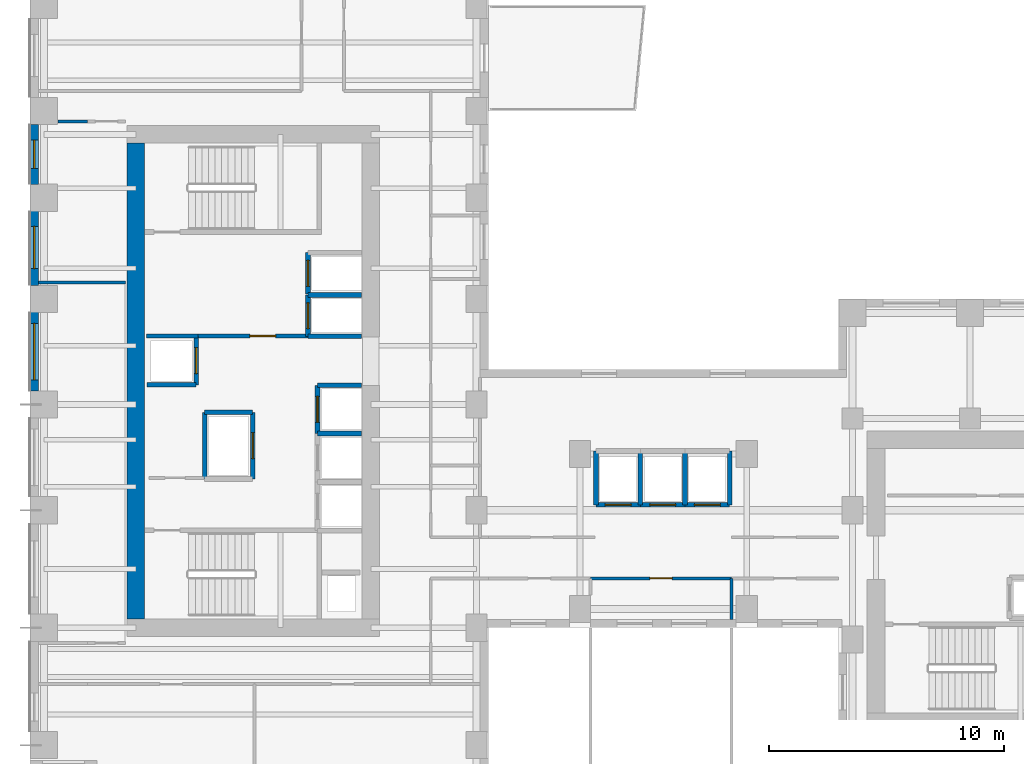
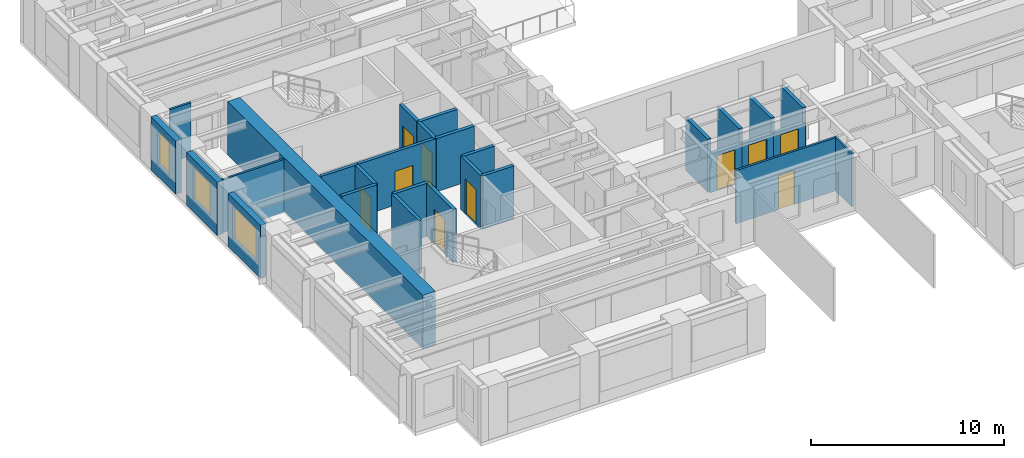
# One storey, part 5 of 11: 29 walls, 10 doors, 3 windows, 13 openings.
"""IFC4 building model written with IfcOpenShell, lengths in metres."""

from ifc_helpers import new_model, si_unit, direction, frame, frame_2d, origin, place, context, subcontext, project, spatial, rectangle, extrude, source, transform, mapped, material, layer, layer_set, type_object, element, fill, save


model = new_model("IFC4")

# Units and contexts
model_context = context("Model", 3, precision=1e-05, world=origin(), true_north=direction((0.0, 1.0)))
body_context = subcontext(model_context, "Body", "Model", "MODEL_VIEW")
ifc_project = project(units=[si_unit("LENGTHUNIT", "METRE"), si_unit("AREAUNIT", "SQUARE_METRE"), si_unit("VOLUMEUNIT", "CUBIC_METRE"), si_unit("PLANEANGLEUNIT", "RADIAN"), si_unit("MASSUNIT", "GRAM", prefix="KILO")], contexts=[model_context])

# Site, building, storey
site_placement = place(None, origin())
site = spatial("IfcSite", under=ifc_project, at=site_placement, CompositionType="ELEMENT")
building_placement = place(site_placement, origin())
building = spatial("IfcBuilding", under=site, at=building_placement, Name="Kharzan Plaza Tower", CompositionType="ELEMENT")
storey_placement = place(building_placement, frame((0.0, 0.0, 113.39990234375)))
storey = spatial("IfcBuildingStorey", under=building, at=storey_placement, Name="L30", CompositionType="ELEMENT", Elevation=113.39990234375)

# Wall, opening, window
ifc_material_1 = material(Name="Concrete C40/50", Category="concrete")
ifc_layer_1 = layer(ifc_material_1, 0.35009765625)
ifc_layer_set_1 = layer_set([ifc_layer_1], Name="Concrete C40/50")
wall_type_1 = type_object("IfcWallType", Name="WL-EXT-MAS-Z2", PredefinedType="SOLIDWALL", material=ifc_layer_set_1)
wall_1_placement = place(storey_placement, frame((0.175048828125, 29.927001953125, 0.0), z_axis=(0.0, 0.0, 1.0), x_axis=(0.0, -1.0, 0.0)))
wall_1 = element("IfcWall", 1, at=wall_1_placement, inside=storey, type_object=wall_type_1, Name="L30 Masonry-Frame Exterior Wall 20", PredefinedType="SOLIDWALL", context=body_context, shape_type="SweptSolid", body=[
    extrude(rectangle(XDim=2.553955078125, YDim=0.35009765625, at=frame_2d((1.27685546875, 0.0))), origin(), (0.0, 0.0, 1.0), 3.364990234375),
])
opening_1_placement = place(wall_1_placement, frame((0.677001953125, 0.0, 0.780029296875)))
opening_1 = element("IfcOpeningElement", 2, at=opening_1_placement, cuts=wall_1, Name="Opening W3", PredefinedType="OPENING", context=body_context, shape_type="SweptSolid", body=[
    extrude(rectangle(XDim=1.199951171875, YDim=2.10009765625, at=frame_2d((0.60009765625, 1.050048828125))), frame((0.0, 0.18505859375, 0.0), z_axis=(0.0, -1.0, 0.0), x_axis=(1.0, 0.0, 0.0)), (0.0, 0.0, 1.0), 0.3701171875),
])
ifc_material_2 = material(Name="Low-E Double Glazing", Category="glass")
window_type_1 = type_object("IfcWindowType", Name="WN-REC-1200x2100", PartitioningType="SINGLE_PANEL", PredefinedType="WINDOW", material=ifc_material_2)
shared_shape_1 = source(origin(), body_context, "Body", "SweptSolid", [
    extrude(rectangle(XDim=1.199951171875, YDim=2.10009765625, at=frame_2d((0.60009765625, 1.050048828125))), frame((0.0, 0.030029296875, 0.0), z_axis=(0.0, -1.0, 0.0), x_axis=(1.0, 0.0, 0.0)), (0.0, 0.0, 1.0), 0.06005859375),
])
window_1_placement = place(opening_1_placement, origin())
window_1 = element("IfcWindow", 3, at=window_1_placement, inside=storey, type_object=window_type_1, Name="L30 Recessed Solar-Control Window 20-1", OverallHeight=2.10009765625, OverallWidth=1.199951171875, PartitioningType="SINGLE_PANEL", PredefinedType="WINDOW", context=body_context, shape_type="MappedRepresentation", body=[
    mapped(shared_shape_1, transform((0.0, 0.0, 0.0), x_axis=(1.0, 0.0, 0.0), y_axis=(0.0, 1.0, 0.0), z_axis=(0.0, 0.0, 1.0))),
])
fill(opening_1, window_1)

wall_2_placement = place(storey_placement, frame((0.175048828125, 26.22705078125, 0.0), z_axis=(0.0, 0.0, 1.0), x_axis=(0.0, -1.0, 0.0)))
wall_2 = element("IfcWall", 4, at=wall_2_placement, inside=storey, type_object=wall_type_1, Name="L30 Masonry-Frame Exterior Wall 21", PredefinedType="SOLIDWALL", context=body_context, shape_type="SweptSolid", body=[
    extrude(rectangle(XDim=3.154052734375, YDim=0.35009765625, at=frame_2d((1.5771484375, 0.0))), origin(), (0.0, 0.0, 1.0), 3.364990234375),
])
opening_2_placement = place(wall_2_placement, frame((0.6484375, 0.0, 0.780029296875)))
opening_2 = element("IfcOpeningElement", 5, at=opening_2_placement, cuts=wall_2, Name="Opening W1", PredefinedType="OPENING", context=body_context, shape_type="SweptSolid", body=[
    extrude(rectangle(XDim=1.800048828125, YDim=2.10009765625, at=frame_2d((0.89990234375, 1.050048828125))), frame((0.0, 0.18505859375, 0.0), z_axis=(0.0, -1.0, 0.0), x_axis=(1.0, 0.0, 0.0)), (0.0, 0.0, 1.0), 0.3701171875),
])
window_type_2 = type_object("IfcWindowType", Name="WN-REC-1800x2100", PartitioningType="SINGLE_PANEL", PredefinedType="WINDOW", material=ifc_material_2)
shared_shape_2 = source(origin(), body_context, "Body", "SweptSolid", [
    extrude(rectangle(XDim=1.800048828125, YDim=2.10009765625, at=frame_2d((0.89990234375, 1.050048828125))), frame((0.0, 0.030029296875, 0.0), z_axis=(0.0, -1.0, 0.0), x_axis=(1.0, 0.0, 0.0)), (0.0, 0.0, 1.0), 0.06005859375),
])
window_2_placement = place(opening_2_placement, origin())
window_2 = element("IfcWindow", 6, at=window_2_placement, inside=storey, type_object=window_type_2, Name="L30 Recessed Solar-Control Window 21-1", OverallHeight=2.10009765625, OverallWidth=1.800048828125, PartitioningType="SINGLE_PANEL", PredefinedType="WINDOW", context=body_context, shape_type="MappedRepresentation", body=[
    mapped(shared_shape_2, transform((0.0, 0.0, 0.0), x_axis=(1.0, 0.0, 0.0), y_axis=(0.0, 1.0, 0.0), z_axis=(0.0, 0.0, 1.0))),
])
fill(opening_2, window_2)

wall_3_placement = place(storey_placement, frame((0.175048828125, 21.927001953125, 0.0), z_axis=(0.0, 0.0, 1.0), x_axis=(0.0, -1.0, 0.0)))
wall_3 = element("IfcWall", 7, at=wall_3_placement, inside=storey, type_object=wall_type_1, Name="L30 Masonry-Frame Exterior Wall 22", PredefinedType="SOLIDWALL", context=body_context, shape_type="SweptSolid", body=[
    extrude(rectangle(XDim=3.35400390625, YDim=0.35009765625, at=frame_2d((1.677001953125, 0.0))), origin(), (0.0, 0.0, 1.0), 3.364990234375),
])
opening_3_placement = place(wall_3_placement, frame((0.47705078125, 0.0, 0.780029296875)))
opening_3 = element("IfcOpeningElement", 8, at=opening_3_placement, cuts=wall_3, Name="Opening W2", PredefinedType="OPENING", context=body_context, shape_type="SweptSolid", body=[
    extrude(rectangle(XDim=2.39990234375, YDim=2.10009765625, at=frame_2d((1.199951171875, 1.050048828125))), frame((0.0, 0.18505859375, 0.0), z_axis=(0.0, -1.0, 0.0), x_axis=(1.0, 0.0, 0.0)), (0.0, 0.0, 1.0), 0.3701171875),
])
window_type_3 = type_object("IfcWindowType", Name="WN-REC-2400x2100", PartitioningType="SINGLE_PANEL", PredefinedType="WINDOW", material=ifc_material_2)
shared_shape_3 = source(origin(), body_context, "Body", "SweptSolid", [
    extrude(rectangle(XDim=2.39990234375, YDim=2.10009765625, at=frame_2d((1.199951171875, 1.050048828125))), frame((0.0, 0.030029296875, 0.0), z_axis=(0.0, -1.0, 0.0), x_axis=(1.0, 0.0, 0.0)), (0.0, 0.0, 1.0), 0.06005859375),
])
window_3_placement = place(opening_3_placement, origin())
window_3 = element("IfcWindow", 9, at=window_3_placement, inside=storey, type_object=window_type_3, Name="L30 Wide Recessed Solar-Control Window 22-1", OverallHeight=2.10009765625, OverallWidth=2.39990234375, PartitioningType="SINGLE_PANEL", PredefinedType="WINDOW", context=body_context, shape_type="MappedRepresentation", body=[
    mapped(shared_shape_3, transform((0.0, 0.0, 0.0), x_axis=(1.0, 0.0, 0.0), y_axis=(0.0, 1.0, 0.0), z_axis=(0.0, 0.0, 1.0))),
])
fill(opening_3, window_3)

# Wall, opening, door
ifc_layer_2 = layer(ifc_material_1, 0.179931640625)
ifc_layer_set_2 = layer_set([ifc_layer_2], Name="Concrete C40/50")
wall_type_2 = type_object("IfcWallType", Name="WL-INT-FIRE-180", PredefinedType="PARTITIONING", material=ifc_layer_set_2)
wall_4_placement = place(storey_placement, frame((7.14990234375, 20.919921875, 0.0), z_axis=(0.0, 0.0, 1.0), x_axis=(1.0, 0.0, 0.0)))
wall_4 = element("IfcWall", 10, at=wall_4_placement, inside=storey, type_object=wall_type_2, Name="L30 Interior Partition CA-FF-S", PredefinedType="PARTITIONING", context=body_context, shape_type="SweptSolid", body=[
    extrude(rectangle(XDim=4.68017578125, YDim=0.179931640625, at=frame_2d((2.340087890625, 0.0))), origin(), (0.0, 0.0, 1.0), 3.364990234375),
])
opening_4_placement = place(wall_4_placement, frame((2.199951171875, 0.0, 0.0)))
opening_4 = element("IfcOpeningElement", 11, at=opening_4_placement, cuts=wall_4, Name="Opening FD1", PredefinedType="OPENING", context=body_context, shape_type="SweptSolid", body=[
    extrude(rectangle(XDim=1.10009765625, YDim=2.14990234375, at=frame_2d((0.550048828125, 1.074951171875))), frame((0.0, 0.099853515625, 0.0), z_axis=(0.0, -1.0, 0.0), x_axis=(1.0, 0.0, 0.0)), (0.0, 0.0, 1.0), 0.199951171875),
])
ifc_material_3 = material(Name="Fire-Rated Acoustic Vision-Panel Steel", Category="steel")
door_type_1 = type_object("IfcDoorType", Name="DR-FIRE-LOBBY", OperationType="NOTDEFINED", PredefinedType="DOOR", material=ifc_material_3)
shared_shape_4 = source(origin(), body_context, "Body", "SweptSolid", [
    extrude(rectangle(XDim=1.10009765625, YDim=2.14990234375, at=frame_2d((0.550048828125, 1.074951171875))), frame((0.0, 0.02490234375, 0.0), z_axis=(0.0, -1.0, 0.0), x_axis=(1.0, 0.0, 0.0)), (0.0, 0.0, 1.0), 0.050048828125),
])
door_1_placement = place(opening_4_placement, origin())
door_1 = element("IfcDoor", 12, at=door_1_placement, inside=storey, type_object=door_type_1, Name="L30 Firefighting Lobby Door", OperationType="SINGLE_SWING_LEFT", OverallHeight=2.14990234375, OverallWidth=1.10009765625, PredefinedType="DOOR", context=body_context, shape_type="MappedRepresentation", body=[
    mapped(shared_shape_4, transform((0.0, 0.0, 0.0), x_axis=(1.0, 0.0, 0.0), y_axis=(0.0, 1.0, 0.0), z_axis=(0.0, 0.0, 1.0))),
])
fill(opening_4, door_1)

ifc_material_4 = material(Name="Fire-Rated Gypsum Board Partition", Category="gypsum")
ifc_layer_3 = layer(ifc_material_4, 0.125)
ifc_layer_set_3 = layer_set([ifc_layer_3], Name="Fire-Rated Gypsum Board Partition")
wall_type_3 = type_object("IfcWallType", Name="WL-INT-PART-125", PredefinedType="PARTITIONING", material=ifc_layer_set_3)
wall_5_placement = place(storey_placement, frame((23.85009765625, 10.60009765625, 0.0), z_axis=(0.0, 0.0, 1.0), x_axis=(1.0, 0.0, 0.0)))
wall_5 = element("IfcWall", 13, at=wall_5_placement, inside=storey, type_object=wall_type_3, Name="L30 Interior Partition SH-SPS2", PredefinedType="PARTITIONING", context=body_context, shape_type="SweptSolid", body=[
    extrude(rectangle(XDim=6.0, YDim=0.125, at=frame_2d((3.0, 0.0))), origin(), (0.0, 0.0, 1.0), 3.364990234375),
])
opening_5_placement = place(wall_5_placement, frame((2.52490234375, 0.0, 0.0)))
opening_5 = element("IfcOpeningElement", 14, at=opening_5_placement, cuts=wall_5, Name="Opening OD1", PredefinedType="OPENING", context=body_context, shape_type="SweptSolid", body=[
    extrude(rectangle(XDim=0.949951171875, YDim=2.14990234375, at=frame_2d((0.47509765625, 1.074951171875))), frame((0.0, 0.072509765625, 0.0), z_axis=(0.0, -1.0, 0.0), x_axis=(1.0, 0.0, 0.0)), (0.0, 0.0, 1.0), 0.14501953125),
])
ifc_material_5 = material(Name="Acoustic Solid-Core Stained Oak", Category="timber")
door_type_2 = type_object("IfcDoorType", Name="DR-OFF-SINGLE", OperationType="NOTDEFINED", PredefinedType="DOOR", material=ifc_material_5)
shared_shape_5 = source(origin(), body_context, "Body", "SweptSolid", [
    extrude(rectangle(XDim=0.949951171875, YDim=2.14990234375, at=frame_2d((0.47509765625, 1.074951171875))), frame((0.0, 0.02490234375, 0.0), z_axis=(0.0, -1.0, 0.0), x_axis=(1.0, 0.0, 0.0)), (0.0, 0.0, 1.0), 0.050048828125),
])
door_2_placement = place(opening_5_placement, origin())
door_2 = element("IfcDoor", 15, at=door_2_placement, inside=storey, type_object=door_type_2, Name="L30 Spine Studio 2 Door", OperationType="SINGLE_SWING_RIGHT", OverallHeight=2.14990234375, OverallWidth=0.949951171875, PredefinedType="DOOR", context=body_context, shape_type="MappedRepresentation", body=[
    mapped(shared_shape_5, transform((0.0, 0.0, 0.0), x_axis=(1.0, 0.0, 0.0), y_axis=(0.0, 1.0, 0.0), z_axis=(0.0, 0.0, 1.0))),
])
fill(opening_5, door_2)

ifc_layer_4 = layer(ifc_material_1, 0.199951171875)
ifc_layer_set_4 = layer_set([ifc_layer_4], Name="Concrete C40/50")
wall_type_4 = type_object("IfcWallType", Name="WL-INT-SHAFT-200", PredefinedType="PARTITIONING", material=ifc_layer_set_4)
wall_6_placement = place(storey_placement, frame((11.830078125, 20.89990234375, 0.0), z_axis=(0.0, 0.0, 1.0), x_axis=(0.0, 1.0, 0.0)))
wall_6 = element("IfcWall", 16, at=wall_6_placement, inside=storey, type_object=wall_type_4, Name="L30 Interior Partition SHF-FFL-1-W", PredefinedType="PARTITIONING", context=body_context, shape_type="SweptSolid", body=[
    extrude(rectangle(XDim=1.760009765625, YDim=0.199951171875, at=frame_2d((0.8798828125, 0.0))), origin(), (0.0, 0.0, 1.0), 3.364990234375),
])
opening_6_placement = place(wall_6_placement, frame((0.330078125, 0.0, 0.0)))
opening_6 = element("IfcOpeningElement", 17, at=opening_6_placement, cuts=wall_6, Name="Opening LD", PredefinedType="OPENING", context=body_context, shape_type="SweptSolid", body=[
    extrude(rectangle(XDim=1.10009765625, YDim=2.199951171875, at=frame_2d((0.550048828125, 1.10009765625))), frame((0.0, 0.10986328125, 0.0), z_axis=(0.0, -1.0, 0.0), x_axis=(1.0, 0.0, 0.0)), (0.0, 0.0, 1.0), 0.219970703125),
])
ifc_material_6 = material(Name="Brushed Stainless Steel", Category="steel")
door_type_3 = type_object("IfcDoorType", Name="DR-LIFT-SLIDE", OperationType="SLIDING_TO_LEFT", PredefinedType="DOOR", material=ifc_material_6)
shared_shape_6 = source(origin(), body_context, "Body", "SweptSolid", [
    extrude(rectangle(XDim=1.10009765625, YDim=2.199951171875, at=frame_2d((0.550048828125, 1.10009765625))), frame((0.0, 0.02490234375, 0.0), z_axis=(0.0, -1.0, 0.0), x_axis=(1.0, 0.0, 0.0)), (0.0, 0.0, 1.0), 0.050048828125),
])
door_3_placement = place(opening_6_placement, origin())
door_3 = element("IfcDoor", 18, at=door_3_placement, inside=storey, type_object=door_type_3, Name="L30 Firefighting Lift FFL-1 Sliding Landing Door", OperationType="SLIDING_TO_LEFT", OverallHeight=2.199951171875, OverallWidth=1.10009765625, PredefinedType="DOOR", context=body_context, shape_type="MappedRepresentation", body=[
    mapped(shared_shape_6, transform((0.0, 0.0, 0.0), x_axis=(1.0, 0.0, 0.0), y_axis=(0.0, 1.0, 0.0), z_axis=(0.0, 0.0, 1.0))),
])
fill(opening_6, door_3)

wall_7_placement = place(storey_placement, frame((11.830078125, 22.699951171875, 0.0), z_axis=(0.0, 0.0, 1.0), x_axis=(0.0, 1.0, 0.0)))
wall_7 = element("IfcWall", 19, at=wall_7_placement, inside=storey, type_object=wall_type_4, Name="L30 Interior Partition SHF-FFL-2-W", PredefinedType="PARTITIONING", context=body_context, shape_type="SweptSolid", body=[
    extrude(rectangle(XDim=1.760009765625, YDim=0.199951171875, at=frame_2d((0.8798828125, 0.0))), origin(), (0.0, 0.0, 1.0), 3.364990234375),
])
opening_7_placement = place(wall_7_placement, frame((0.330078125, 0.0, 0.0)))
opening_7 = element("IfcOpeningElement", 20, at=opening_7_placement, cuts=wall_7, Name="Opening LD", PredefinedType="OPENING", context=body_context, shape_type="SweptSolid", body=[
    extrude(rectangle(XDim=1.10009765625, YDim=2.199951171875, at=frame_2d((0.550048828125, 1.10009765625))), frame((0.0, 0.10986328125, 0.0), z_axis=(0.0, -1.0, 0.0), x_axis=(1.0, 0.0, 0.0)), (0.0, 0.0, 1.0), 0.219970703125),
])
door_4_placement = place(opening_7_placement, origin())
door_4 = element("IfcDoor", 21, at=door_4_placement, inside=storey, type_object=door_type_3, Name="L30 Firefighting Lift FFL-2 Sliding Landing Door", OperationType="SLIDING_TO_LEFT", OverallHeight=2.199951171875, OverallWidth=1.10009765625, PredefinedType="DOOR", context=body_context, shape_type="MappedRepresentation", body=[
    mapped(shared_shape_6, transform((0.0, 0.0, 0.0), x_axis=(1.0, 0.0, 0.0), y_axis=(0.0, 1.0, 0.0), z_axis=(0.0, 0.0, 1.0))),
])
fill(opening_7, door_4)

wall_8_placement = place(storey_placement, frame((12.22998046875, 16.77001953125, 0.0), z_axis=(0.0, 0.0, 1.0), x_axis=(0.0, 1.0, 0.0)))
wall_8 = element("IfcWall", 22, at=wall_8_placement, inside=storey, type_object=wall_type_4, Name="L30 Interior Partition SHF-PL-H3-W", PredefinedType="PARTITIONING", context=body_context, shape_type="SweptSolid", body=[
    extrude(rectangle(XDim=2.050048828125, YDim=0.199951171875, at=frame_2d((1.02490234375, 0.0))), origin(), (0.0, 0.0, 1.0), 3.364990234375),
])
opening_8_placement = place(wall_8_placement, frame((0.47509765625, 0.0, 0.0)))
opening_8 = element("IfcOpeningElement", 23, at=opening_8_placement, cuts=wall_8, Name="Opening LD", PredefinedType="OPENING", context=body_context, shape_type="SweptSolid", body=[
    extrude(rectangle(XDim=1.10009765625, YDim=2.199951171875, at=frame_2d((0.550048828125, 1.10009765625))), frame((0.0, 0.10986328125, 0.0), z_axis=(0.0, -1.0, 0.0), x_axis=(1.0, 0.0, 0.0)), (0.0, 0.0, 1.0), 0.219970703125),
])
door_5_placement = place(opening_8_placement, origin())
door_5 = element("IfcDoor", 24, at=door_5_placement, inside=storey, type_object=door_type_3, Name="L30 High-Rise Passenger Lift PL-H3 Sliding Landing Door", OperationType="SLIDING_TO_LEFT", OverallHeight=2.199951171875, OverallWidth=1.10009765625, PredefinedType="DOOR", context=body_context, shape_type="MappedRepresentation", body=[
    mapped(shared_shape_6, transform((0.0, 0.0, 0.0), x_axis=(1.0, 0.0, 0.0), y_axis=(0.0, 1.0, 0.0), z_axis=(0.0, 0.0, 1.0))),
])
fill(opening_8, door_5)

wall_9_placement = place(storey_placement, frame((7.070068359375, 18.840087890625, 0.0), z_axis=(0.0, 0.0, 1.0), x_axis=(0.0, 1.0, 0.0)))
wall_9 = element("IfcWall", 25, at=wall_9_placement, inside=storey, type_object=wall_type_4, Name="L30 Interior Partition SHF-PL-H4-E", PredefinedType="PARTITIONING", context=body_context, shape_type="SweptSolid", body=[
    extrude(rectangle(XDim=2.059814453125, YDim=0.199951171875, at=frame_2d((1.02978515625, 0.0))), origin(), (0.0, 0.0, 1.0), 3.364990234375),
])
opening_9_placement = place(wall_9_placement, frame((0.47998046875, 0.0, 0.0)))
opening_9 = element("IfcOpeningElement", 26, at=opening_9_placement, cuts=wall_9, Name="Opening LD", PredefinedType="OPENING", context=body_context, shape_type="SweptSolid", body=[
    extrude(rectangle(XDim=1.10009765625, YDim=2.199951171875, at=frame_2d((0.550048828125, 1.10009765625))), frame((0.0, 0.10986328125, 0.0), z_axis=(0.0, -1.0, 0.0), x_axis=(1.0, 0.0, 0.0)), (0.0, 0.0, 1.0), 0.219970703125),
])
door_6_placement = place(opening_9_placement, origin())
door_6 = element("IfcDoor", 27, at=door_6_placement, inside=storey, type_object=door_type_3, Name="L30 High-Rise Passenger Lift PL-H4 Sliding Landing Door", OperationType="SLIDING_TO_LEFT", OverallHeight=2.199951171875, OverallWidth=1.10009765625, PredefinedType="DOOR", context=body_context, shape_type="MappedRepresentation", body=[
    mapped(shared_shape_6, transform((0.0, 0.0, 0.0), x_axis=(1.0, 0.0, 0.0), y_axis=(0.0, 1.0, 0.0), z_axis=(0.0, 0.0, 1.0))),
])
fill(opening_9, door_6)

wall_10_placement = place(storey_placement, frame((24.080078125, 13.72998046875, 0.0), z_axis=(0.0, 0.0, 1.0), x_axis=(1.0, 0.0, 0.0)))
wall_10 = element("IfcWall", 28, at=wall_10_placement, inside=storey, type_object=wall_type_4, Name="L30 Interior Partition SHF-PL-M1-S", PredefinedType="PARTITIONING", context=body_context, shape_type="SweptSolid", body=[
    extrude(rectangle(XDim=1.889892578125, YDim=0.199951171875, at=frame_2d((0.94482421875, 0.0))), origin(), (0.0, 0.0, 1.0), 2.446044921875),
])
opening_10_placement = place(wall_10_placement, frame((0.39501953125, 0.0, 0.0)))
opening_10 = element("IfcOpeningElement", 29, at=opening_10_placement, cuts=wall_10, Name="Opening LD", PredefinedType="OPENING", context=body_context, shape_type="SweptSolid", body=[
    extrude(rectangle(XDim=1.10009765625, YDim=2.199951171875, at=frame_2d((0.550048828125, 1.10009765625))), frame((0.0, 0.10986328125, 0.0), z_axis=(0.0, -1.0, 0.0), x_axis=(1.0, 0.0, 0.0)), (0.0, 0.0, 1.0), 0.219970703125),
])
door_7_placement = place(opening_10_placement, origin())
door_7 = element("IfcDoor", 30, at=door_7_placement, inside=storey, type_object=door_type_3, Name="L30 Mid-Rise Passenger Lift PL-M1 Sliding Landing Door", OperationType="SLIDING_TO_LEFT", OverallHeight=2.199951171875, OverallWidth=1.10009765625, PredefinedType="DOOR", context=body_context, shape_type="MappedRepresentation", body=[
    mapped(shared_shape_6, transform((0.0, 0.0, 0.0), x_axis=(1.0, 0.0, 0.0), y_axis=(0.0, 1.0, 0.0), z_axis=(0.0, 0.0, 1.0))),
])
fill(opening_10, door_7)

wall_11_placement = place(storey_placement, frame((25.97998046875, 13.72998046875, 0.0), z_axis=(0.0, 0.0, 1.0), x_axis=(1.0, 0.0, 0.0)))
wall_11 = element("IfcWall", 31, at=wall_11_placement, inside=storey, type_object=wall_type_4, Name="L30 Interior Partition SHF-PL-M2-S", PredefinedType="PARTITIONING", context=body_context, shape_type="SweptSolid", body=[
    extrude(rectangle(XDim=1.89013671875, YDim=0.199951171875, at=frame_2d((0.945068359375, 0.0))), origin(), (0.0, 0.0, 1.0), 2.446044921875),
])
opening_11_placement = place(wall_11_placement, frame((0.39501953125, 0.0, 0.0)))
opening_11 = element("IfcOpeningElement", 32, at=opening_11_placement, cuts=wall_11, Name="Opening LD", PredefinedType="OPENING", context=body_context, shape_type="SweptSolid", body=[
    extrude(rectangle(XDim=1.10009765625, YDim=2.199951171875, at=frame_2d((0.550048828125, 1.10009765625))), frame((0.0, 0.10986328125, 0.0), z_axis=(0.0, -1.0, 0.0), x_axis=(1.0, 0.0, 0.0)), (0.0, 0.0, 1.0), 0.219970703125),
])
door_8_placement = place(opening_11_placement, origin())
door_8 = element("IfcDoor", 33, at=door_8_placement, inside=storey, type_object=door_type_3, Name="L30 Mid-Rise Passenger Lift PL-M2 Sliding Landing Door", OperationType="SLIDING_TO_LEFT", OverallHeight=2.199951171875, OverallWidth=1.10009765625, PredefinedType="DOOR", context=body_context, shape_type="MappedRepresentation", body=[
    mapped(shared_shape_6, transform((0.0, 0.0, 0.0), x_axis=(1.0, 0.0, 0.0), y_axis=(0.0, 1.0, 0.0), z_axis=(0.0, 0.0, 1.0))),
])
fill(opening_11, door_8)

wall_12_placement = place(storey_placement, frame((27.8798828125, 13.72998046875, 0.0), z_axis=(0.0, 0.0, 1.0), x_axis=(1.0, 0.0, 0.0)))
wall_12 = element("IfcWall", 34, at=wall_12_placement, inside=storey, type_object=wall_type_4, Name="L30 Interior Partition SHF-PL-M3-S", PredefinedType="PARTITIONING", context=body_context, shape_type="SweptSolid", body=[
    extrude(rectangle(XDim=1.89013671875, YDim=0.199951171875, at=frame_2d((0.945068359375, 0.0))), origin(), (0.0, 0.0, 1.0), 2.446044921875),
])
opening_12_placement = place(wall_12_placement, frame((0.39501953125, 0.0, 0.0)))
opening_12 = element("IfcOpeningElement", 35, at=opening_12_placement, cuts=wall_12, Name="Opening LD", PredefinedType="OPENING", context=body_context, shape_type="SweptSolid", body=[
    extrude(rectangle(XDim=1.10009765625, YDim=2.199951171875, at=frame_2d((0.550048828125, 1.10009765625))), frame((0.0, 0.10986328125, 0.0), z_axis=(0.0, -1.0, 0.0), x_axis=(1.0, 0.0, 0.0)), (0.0, 0.0, 1.0), 0.219970703125),
])
door_9_placement = place(opening_12_placement, origin())
door_9 = element("IfcDoor", 36, at=door_9_placement, inside=storey, type_object=door_type_3, Name="L30 Mid-Rise Passenger Lift PL-M3 Sliding Landing Door", OperationType="SLIDING_TO_LEFT", OverallHeight=2.199951171875, OverallWidth=1.10009765625, PredefinedType="DOOR", context=body_context, shape_type="MappedRepresentation", body=[
    mapped(shared_shape_6, transform((0.0, 0.0, 0.0), x_axis=(1.0, 0.0, 0.0), y_axis=(0.0, 1.0, 0.0), z_axis=(0.0, 0.0, 1.0))),
])
fill(opening_12, door_9)

wall_13_placement = place(storey_placement, frame((9.469970703125, 14.830078125, 0.0), z_axis=(0.0, 0.0, 1.0), x_axis=(0.0, 1.0, 0.0)))
wall_13 = element("IfcWall", 37, at=wall_13_placement, inside=storey, type_object=wall_type_4, Name="L30 Interior Partition SHF-SVL-1-E", PredefinedType="PARTITIONING", context=body_context, shape_type="SweptSolid", body=[
    extrude(rectangle(XDim=2.83984375, YDim=0.199951171875, at=frame_2d((1.419921875, 0.0))), origin(), (0.0, 0.0, 1.0), 3.364990234375),
])
opening_13_placement = place(wall_13_placement, frame((0.8701171875, 0.0, 0.0)))
opening_13 = element("IfcOpeningElement", 38, at=opening_13_placement, cuts=wall_13, Name="Opening LD", PredefinedType="OPENING", context=body_context, shape_type="SweptSolid", body=[
    extrude(rectangle(XDim=1.10009765625, YDim=2.199951171875, at=frame_2d((0.550048828125, 1.10009765625))), frame((0.0, 0.10986328125, 0.0), z_axis=(0.0, -1.0, 0.0), x_axis=(1.0, 0.0, 0.0)), (0.0, 0.0, 1.0), 0.219970703125),
])
door_10_placement = place(opening_13_placement, origin())
door_10 = element("IfcDoor", 39, at=door_10_placement, inside=storey, type_object=door_type_3, Name="L30 Service Lift SVL-1 Sliding Landing Door", OperationType="SLIDING_TO_LEFT", OverallHeight=2.199951171875, OverallWidth=1.10009765625, PredefinedType="DOOR", context=body_context, shape_type="MappedRepresentation", body=[
    mapped(shared_shape_6, transform((0.0, 0.0, 0.0), x_axis=(1.0, 0.0, 0.0), y_axis=(0.0, 1.0, 0.0), z_axis=(0.0, 0.0, 1.0))),
])
fill(opening_13, door_10)

# Walls
shared_shape_7 = source(origin(), body_context, "Body", "SweptSolid", [
    extrude(rectangle(XDim=2.090087890625, YDim=0.199951171875, at=frame_2d((1.044921875, 0.0))), origin(), (0.0, 0.0, 1.0), 3.364990234375),
])
wall_14_placement = place(storey_placement, frame((4.97998046875, 18.840087890625, 0.0), z_axis=(0.0, 0.0, 1.0), x_axis=(1.0, 0.0, 0.0)))
element("IfcWall", 40, at=wall_14_placement, inside=storey, type_object=wall_type_4, Name="L30 Interior Partition SHF-PL-H4-S", PredefinedType="PARTITIONING", context=body_context, shape_type="MappedRepresentation", body=[
    mapped(shared_shape_7, transform((0.0, 0.0, 0.0), x_axis=(1.0, 0.0, 0.0), y_axis=(0.0, 1.0, 0.0), z_axis=(0.0, 0.0, 1.0))),
])
shared_shape_8 = source(origin(), body_context, "Body", "SweptSolid", [
    extrude(rectangle(XDim=2.2900390625, YDim=0.199951171875, at=frame_2d((1.14501953125, 0.0))), origin(), (0.0, 0.0, 1.0), 3.364990234375),
])
for number, where, z_axis, x_axis, name in (
    (41, (25.969970703125, 13.72998046875, 0.0), (0.0, 0.0, 1.0), (0.0, 1.0, 0.0), "L30 Interior Partition SHF-PL-M1-E"),
    (42, (24.080078125, 13.72998046875, 0.0), (0.0, 0.0, 1.0), (0.0, 1.0, 0.0), "L30 Interior Partition SHF-PL-M1-W"),
    (43, (27.8701171875, 13.72998046875, 0.0), (0.0, 0.0, 1.0), (0.0, 1.0, 0.0), "L30 Interior Partition SHF-PL-M2-E"),
    (44, (29.77001953125, 13.72998046875, 0.0), (0.0, 0.0, 1.0), (0.0, 1.0, 0.0), "L30 Interior Partition SHF-PL-M3-E"),
):
    element("IfcWall", number, at=place(storey_placement, frame(where, z_axis=z_axis, x_axis=x_axis)), inside=storey, type_object=wall_type_4, Name=name, PredefinedType="PARTITIONING", context=body_context, shape_type="MappedRepresentation", body=[
        mapped(shared_shape_8, transform((0.0, 0.0, 0.0), x_axis=(1.0, 0.0, 0.0), y_axis=(0.0, 1.0, 0.0), z_axis=(0.0, 0.0, 1.0))),
    ])
shared_shape_9 = source(origin(), body_context, "Body", "SweptSolid", [
    extrude(rectangle(XDim=2.0400390625, YDim=0.199951171875, at=frame_2d((1.02001953125, 0.0))), origin(), (0.0, 0.0, 1.0), 3.364990234375),
])
wall_15_placement = place(storey_placement, frame((7.429931640625, 17.669921875, 0.0), z_axis=(0.0, 0.0, 1.0), x_axis=(1.0, 0.0, 0.0)))
element("IfcWall", 45, at=wall_15_placement, inside=storey, type_object=wall_type_4, Name="L30 Interior Partition SHF-SVL-1-N", PredefinedType="PARTITIONING", context=body_context, shape_type="MappedRepresentation", body=[
    mapped(shared_shape_9, transform((0.0, 0.0, 0.0), x_axis=(1.0, 0.0, 0.0), y_axis=(0.0, 1.0, 0.0), z_axis=(0.0, 0.0, 1.0))),
])
shared_shape_10 = source(origin(), body_context, "Body", "SweptSolid", [
    extrude(rectangle(XDim=2.83984375, YDim=0.199951171875, at=frame_2d((1.419921875, 0.0))), origin(), (0.0, 0.0, 1.0), 3.364990234375),
])
wall_16_placement = place(storey_placement, frame((7.429931640625, 14.830078125, 0.0), z_axis=(0.0, 0.0, 1.0), x_axis=(0.0, 1.0, 0.0)))
element("IfcWall", 46, at=wall_16_placement, inside=storey, type_object=wall_type_4, Name="L30 Interior Partition SHF-SVL-1-W", PredefinedType="PARTITIONING", context=body_context, shape_type="MappedRepresentation", body=[
    mapped(shared_shape_10, transform((0.0, 0.0, 0.0), x_axis=(1.0, 0.0, 0.0), y_axis=(0.0, 1.0, 0.0), z_axis=(0.0, 0.0, 1.0))),
])
shared_shape_11 = source(origin(), body_context, "Body", "SweptSolid", [
    extrude(rectangle(XDim=1.748046875, YDim=0.125, at=frame_2d((0.8740234375, 0.0))), origin(), (0.0, 0.0, 1.0), 3.364990234375),
])
wall_17_placement = place(storey_placement, frame((29.85009765625, 8.85205078125, 0.0), z_axis=(0.0, 0.0, 1.0), x_axis=(0.0, 1.0, 0.0)))
element("IfcWall", 47, at=wall_17_placement, inside=storey, type_object=wall_type_3, Name="L30 Interior Partition SH-SPSV2-S2", PredefinedType="PARTITIONING", context=body_context, shape_type="MappedRepresentation", body=[
    mapped(shared_shape_11, transform((0.0, 0.0, 0.0), x_axis=(1.0, 0.0, 0.0), y_axis=(0.0, 1.0, 0.0), z_axis=(0.0, 0.0, 1.0))),
])
ifc_material_7 = material(Name="Concrete C60/75", Category="concrete")
ifc_layer_5 = layer(ifc_material_7, 0.75)
ifc_layer_set_5 = layer_set([ifc_layer_5], Name="Concrete C60/75")
wall_type_5 = type_object("IfcWallType", Name="WL-CORE-750", PredefinedType="SHEAR", material=ifc_layer_set_5)
shared_shape_12 = source(origin(), body_context, "Body", "SweptSolid", [
    extrude(rectangle(XDim=20.25, YDim=0.75, at=frame_2d((10.125, 0.0))), origin(), (0.0, 0.0, 1.0), 3.380126953125),
])
wall_18_placement = place(storey_placement, frame((4.5, 8.875, 0.0), z_axis=(0.0, 0.0, 1.0), x_axis=(0.0, 1.0, 0.0)))
element("IfcWall", 48, at=wall_18_placement, inside=storey, type_object=wall_type_5, Name="L30 CORE-A west RC shear wall", PredefinedType="SHEAR", context=body_context, shape_type="MappedRepresentation", body=[
    mapped(shared_shape_12, transform((0.0, 0.0, 0.0), x_axis=(1.0, 0.0, 0.0), y_axis=(0.0, 1.0, 0.0), z_axis=(0.0, 0.0, 1.0))),
])
shared_shape_13 = source(origin(), body_context, "Body", "SweptSolid", [
    extrude(rectangle(XDim=2.199951171875, YDim=0.179931640625, at=frame_2d((1.10009765625, 0.0))), origin(), (0.0, 0.0, 1.0), 3.364990234375),
])
wall_19_placement = place(storey_placement, frame((4.949951171875, 20.919921875, 0.0), z_axis=(0.0, 0.0, 1.0), x_axis=(1.0, 0.0, 0.0)))
element("IfcWall", 49, at=wall_19_placement, inside=storey, type_object=wall_type_2, Name="L30 Interior Partition CA-FF-SW", PredefinedType="PARTITIONING", context=body_context, shape_type="MappedRepresentation", body=[
    mapped(shared_shape_13, transform((0.0, 0.0, 0.0), x_axis=(1.0, 0.0, 0.0), y_axis=(0.0, 1.0, 0.0), z_axis=(0.0, 0.0, 1.0))),
])
shared_shape_14 = source(origin(), body_context, "Body", "SweptSolid", [
    extrude(rectangle(XDim=1.260009765625, YDim=0.125, at=frame_2d((0.6298828125, 0.0))), origin(), (0.0, 0.0, 1.0), 3.364990234375),
])
wall_20_placement = place(storey_placement, frame((1.18994140625, 30.050048828125, 0.0), z_axis=(0.0, 0.0, 1.0), x_axis=(1.0, 0.0, 0.0)))
element("IfcWall", 50, at=wall_20_placement, inside=storey, type_object=wall_type_3, Name="L30 Interior Partition SH-RWN0", PredefinedType="PARTITIONING", context=body_context, shape_type="MappedRepresentation", body=[
    mapped(shared_shape_14, transform((0.0, 0.0, 0.0), x_axis=(1.0, 0.0, 0.0), y_axis=(0.0, 1.0, 0.0), z_axis=(0.0, 0.0, 1.0))),
])
shared_shape_15 = source(origin(), body_context, "Body", "SweptSolid", [
    extrude(rectangle(XDim=3.697998046875, YDim=0.125, at=frame_2d((1.84912109375, 0.0))), origin(), (0.0, 0.0, 1.0), 3.364990234375),
])
wall_21_placement = place(storey_placement, frame((0.35205078125, 23.199951171875, 0.0), z_axis=(0.0, 0.0, 1.0), x_axis=(1.0, 0.0, 0.0)))
element("IfcWall", 51, at=wall_21_placement, inside=storey, type_object=wall_type_3, Name="L30 Interior Partition SH-WMID", PredefinedType="PARTITIONING", context=body_context, shape_type="MappedRepresentation", body=[
    mapped(shared_shape_15, transform((0.0, 0.0, 0.0), x_axis=(1.0, 0.0, 0.0), y_axis=(0.0, 1.0, 0.0), z_axis=(0.0, 0.0, 1.0))),
])
shared_shape_16 = source(origin(), body_context, "Body", "SweptSolid", [
    extrude(rectangle(XDim=2.264892578125, YDim=0.199951171875, at=frame_2d((1.13232421875, 0.0))), origin(), (0.0, 0.0, 1.0), 3.364990234375),
])
for number, where, z_axis, x_axis, name in (
    (52, (11.830078125, 22.659912109375, 0.0), (0.0, 0.0, 1.0), (1.0, 0.0, 0.0), "L30 Interior Partition SHF-FFL-1-N"),
    (53, (11.830078125, 20.89990234375, 0.0), (0.0, 0.0, 1.0), (1.0, 0.0, 0.0), "L30 Interior Partition SHF-FFL-1-S"),
):
    element("IfcWall", number, at=place(storey_placement, frame(where, z_axis=z_axis, x_axis=x_axis)), inside=storey, type_object=wall_type_4, Name=name, PredefinedType="PARTITIONING", context=body_context, shape_type="MappedRepresentation", body=[
        mapped(shared_shape_16, transform((0.0, 0.0, 0.0), x_axis=(1.0, 0.0, 0.0), y_axis=(0.0, 1.0, 0.0), z_axis=(0.0, 0.0, 1.0))),
    ])
shared_shape_17 = source(origin(), body_context, "Body", "SweptSolid", [
    extrude(rectangle(XDim=1.864990234375, YDim=0.199951171875, at=frame_2d((0.9326171875, 0.0))), origin(), (0.0, 0.0, 1.0), 3.364990234375),
])
for number, where, z_axis, x_axis, name in (
    (54, (12.22998046875, 16.77001953125, 0.0), (0.0, 0.0, 1.0), (1.0, 0.0, 0.0), "L30 Interior Partition SHF-PL-H2-N"),
    (55, (12.22998046875, 18.820068359375, 0.0), (0.0, 0.0, 1.0), (1.0, 0.0, 0.0), "L30 Interior Partition SHF-PL-H3-N"),
):
    element("IfcWall", number, at=place(storey_placement, frame(where, z_axis=z_axis, x_axis=x_axis)), inside=storey, type_object=wall_type_4, Name=name, PredefinedType="PARTITIONING", context=body_context, shape_type="MappedRepresentation", body=[
        mapped(shared_shape_17, transform((0.0, 0.0, 0.0), x_axis=(1.0, 0.0, 0.0), y_axis=(0.0, 1.0, 0.0), z_axis=(0.0, 0.0, 1.0))),
    ])

save(model, "model.ifc")
